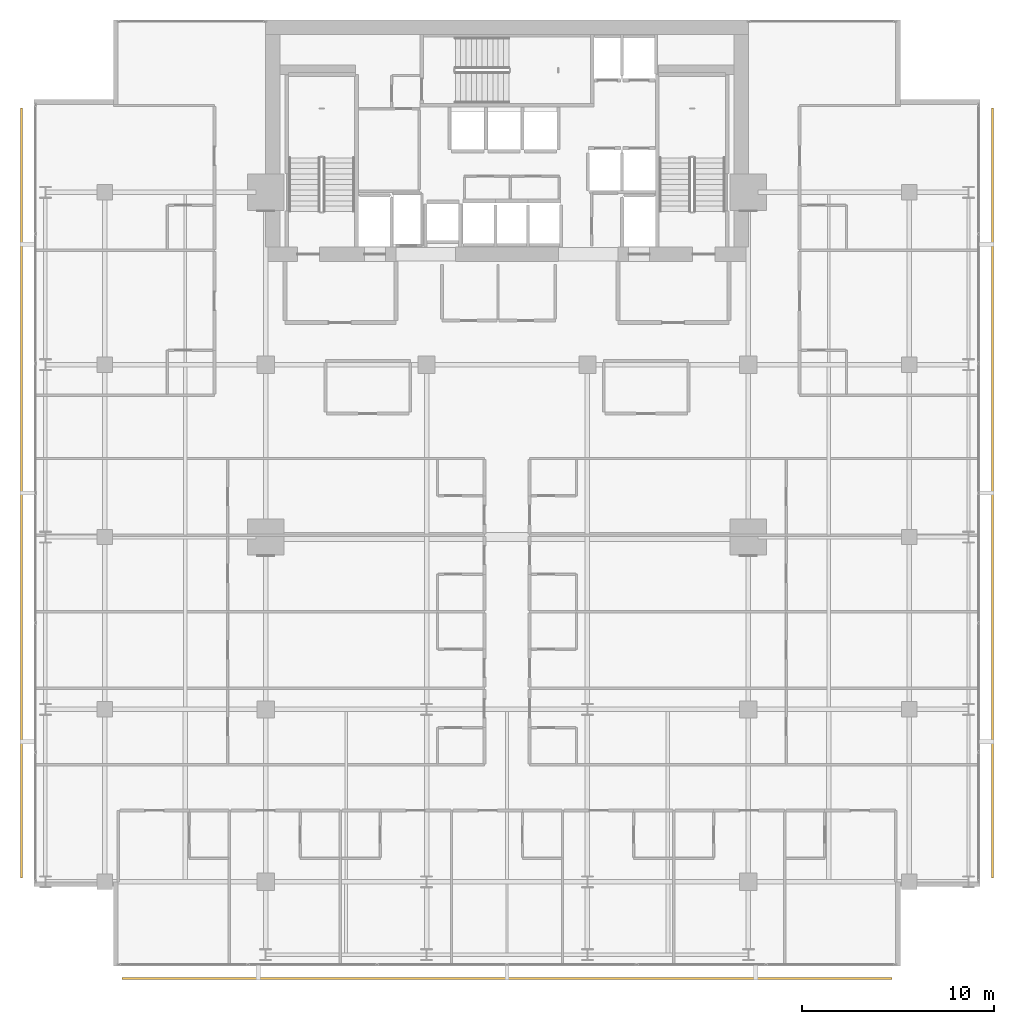
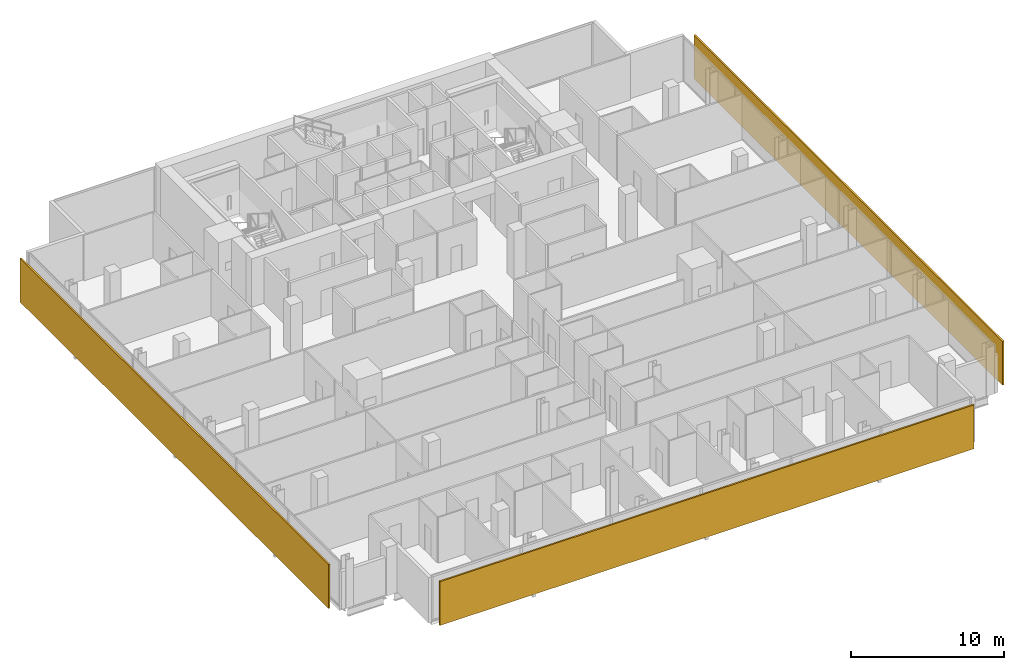
# One storey, part 33 of 34: 3 shading devices.
"""IFC4 building model written with IfcOpenShell, lengths in metres."""

from ifc_helpers import new_model, si_unit, direction, frame, origin, origin_2d, place, context, subcontext, project, spatial, rectangle, extrude, material, layer, layer_set, type_object, element, save


model = new_model("IFC4")

# Units and contexts
model_context = context("Model", 3, precision=1e-05, world=origin(), true_north=direction((0.0, 1.0)))
body_context = subcontext(model_context, "Body", "Model", "MODEL_VIEW")
ifc_project = project(units=[si_unit("LENGTHUNIT", "METRE"), si_unit("AREAUNIT", "SQUARE_METRE"), si_unit("VOLUMEUNIT", "CUBIC_METRE"), si_unit("PLANEANGLEUNIT", "RADIAN"), si_unit("MASSUNIT", "GRAM", prefix="KILO")], contexts=[model_context])

# Site, building, storey
site_placement = place(None, origin())
site = spatial("IfcSite", under=ifc_project, at=site_placement, CompositionType="ELEMENT")
building_placement = place(site_placement, origin())
building = spatial("IfcBuilding", under=site, at=building_placement, Name="Maruvema Waterfront Hotel and Observation Tower", CompositionType="ELEMENT")
storey_placement = place(building_placement, frame((0.0, 0.0, 135.10009765625)))
storey = spatial("IfcBuildingStorey", under=building, at=storey_placement, Name="L32", CompositionType="ELEMENT", Elevation=135.10009765625)

# Shading devices
ifc_material = material(Name="Honed travertine stone and anodised architectural bronze", Category="masonry")
ifc_layer = layer(ifc_material, 0.1201171875, Name="Ventilated Outer Skin Cobogo Stone-and-Bronze Screen 120 mm")
ifc_layer_set = layer_set([ifc_layer], Name="Honed travertine stone and anodised architectural bronze")
shading_device_type = type_object("IfcShadingDeviceType", Name="Ventilated Outer Skin Cobogo Stone-and-Bronze Screen 120 mm", PredefinedType="USERDEFINED", material=ifc_layer_set)
for number, where, z_axis, x_axis, name in (
    (1, (37.800048828125, 3.949951171875, 0.06005859375), (0.0, 0.0, 1.0), (1.0, 0.0, 0.0), "L32 Ventilated Double-Skin Outer Cobogo Screen OS-L32-S"),
    (2, (63.14990234375, 29.300048828125, 0.06005859375), (0.0, 0.0, 1.0), (0.0, 1.0, 0.0), "L32 Ventilated Double-Skin Outer Cobogo Screen OS-L32-E"),
    (3, (12.449951171875, 29.300048828125, 0.06005859375), (0.0, 0.0, 1.0), (0.0, -1.0, 0.0), "L32 Ventilated Double-Skin Outer Cobogo Screen OS-L32-W"),
):
    element("IfcShadingDevice", number, at=place(storey_placement, frame(where, z_axis=z_axis, x_axis=x_axis)), inside=storey, type_object=shading_device_type, Name=name, ObjectType="OUTER SKIN SCREEN", PredefinedType="USERDEFINED", context=body_context, shape_type="SweptSolid", body=[
        extrude(rectangle(XDim=40.199951171875, YDim=0.1201171875, at=origin_2d()), origin(), (0.0, 0.0, 1.0), 3.489990234375),
    ])

save(model, "model.ifc")
